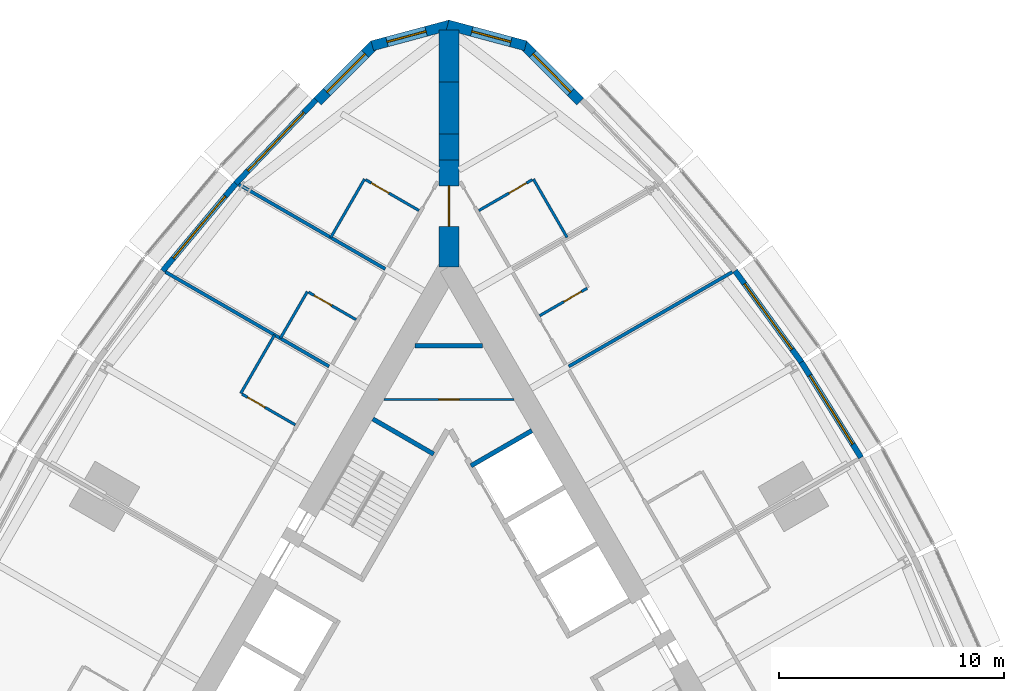
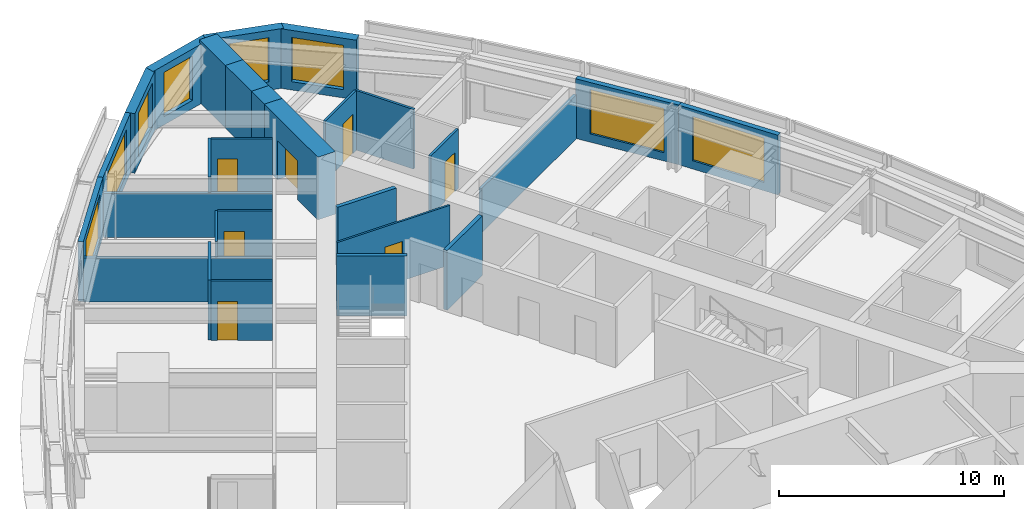
# One storey, part 12 of 14: 28 walls, 8 windows, 7 doors, 15 openings.
"""IFC4 building model written with IfcOpenShell, lengths in metres."""

from ifc_helpers import new_model, si_unit, direction, frame, frame_2d, origin, place, context, subcontext, project, spatial, polyline, rectangle, outline, extrude, material, layer, layer_set, type_object, element, fill, save


model = new_model("IFC4")

# Units and contexts
model_context = context("Model", 3, precision=1e-05, world=origin(), true_north=direction((0.0, 1.0)))
body_context = subcontext(model_context, "Body", "Model", "MODEL_VIEW")
ifc_project = project(units=[si_unit("LENGTHUNIT", "METRE"), si_unit("AREAUNIT", "SQUARE_METRE"), si_unit("VOLUMEUNIT", "CUBIC_METRE"), si_unit("PLANEANGLEUNIT", "RADIAN"), si_unit("MASSUNIT", "GRAM", prefix="KILO")], contexts=[model_context])

# Site, building, storey
site_placement = place(None, origin())
site = spatial("IfcSite", under=ifc_project, at=site_placement, CompositionType="ELEMENT")
building_placement = place(site_placement, origin())
building = spatial("IfcBuilding", under=site, at=building_placement, Name="Trikona Tower", CompositionType="ELEMENT")
storey_placement = place(building_placement, frame((0.0, 0.0, 162.300048828125)))
storey = spatial("IfcBuildingStorey", under=building, at=storey_placement, Name="L43", CompositionType="ELEMENT", Elevation=162.300048828125)

# Wall, opening, door
ifc_material_1 = material(Name="Metal stud and cement board", Category="gypsum")
ifc_layer_1 = layer(ifc_material_1, 0.1201171875)
ifc_layer_set_1 = layer_set([ifc_layer_1], Name="Bathroom wall 120")
wall_type_1 = type_object("IfcWallType", Name="Bathroom wall 120", PredefinedType="PLUMBINGWALL", material=ifc_layer_set_1)
wall_1_placement = place(storey_placement, frame((4.028564453125, 16.875, 0.0), z_axis=(0.0, 0.0, 1.0), x_axis=(0.865980627057, 0.500077547548, 0.0)))
wall_1 = element("IfcWall", 1, at=wall_1_placement, inside=storey, type_object=wall_type_1, Name="Bathroom wall 4308", PredefinedType="PLUMBINGWALL", context=body_context, shape_type="SweptSolid", body=[
    extrude(rectangle(XDim=2.43994140625, YDim=0.1201171875, at=frame_2d((1.219970703125, 0.0))), origin(), (0.0, 0.0, 1.0), 3.23486328125),
])
opening_1_placement = place(wall_1_placement, frame((1.25, 0.0, 0.0)))
opening_1 = element("IfcOpeningElement", 2, at=opening_1_placement, cuts=wall_1, Name="Opening D2", PredefinedType="OPENING", context=body_context, shape_type="SweptSolid", body=[
    extrude(rectangle(XDim=0.89990234375, YDim=2.1298828125, at=frame_2d((0.449951171875, 1.06494140625))), frame((0.0, 0.070068359375, 0.0), z_axis=(0.0, -1.0, 0.0), x_axis=(1.0, 0.0, 0.0)), (0.0, 0.0, 1.0), 0.14013671875),
])
ifc_material_2 = material(Name="Steel door frame with solid-core timber leaf", Category="steel")
door_type_1 = type_object("IfcDoorType", Name="Bathroom door 900x2130", OperationType="SLIDING_TO_LEFT", PredefinedType="DOOR", material=ifc_material_2)
door_1_placement = place(opening_1_placement, origin())
door_1 = element("IfcDoor", 3, at=door_1_placement, inside=storey, type_object=door_type_1, Name="Bathroom door 4308", OperationType="SLIDING_TO_LEFT", OverallHeight=2.1298828125, OverallWidth=0.89990234375, PredefinedType="DOOR", context=body_context, shape_type="SweptSolid", body=[
    extrude(rectangle(XDim=0.89990234375, YDim=2.1298828125, at=frame_2d((0.449951171875, 1.06494140625))), frame((0.0, 0.02490234375, 0.0), z_axis=(0.0, -1.0, 0.0), x_axis=(1.0, 0.0, 0.0)), (0.0, 0.0, 1.0), 0.050048828125),
])
fill(opening_1, door_1)

# Wall
wall_2_placement = place(storey_placement, frame((5.25341796875, 20.353515625, 0.0), z_axis=(0.0, 0.0, 1.0), x_axis=(-0.499990139034, 0.866031096941, 0.0)))
element("IfcWall", 4, at=wall_2_placement, inside=storey, type_object=wall_type_1, Name="Bathroom wall 4309", PredefinedType="PLUMBINGWALL", context=body_context, shape_type="SweptSolid", body=[
    extrude(rectangle(XDim=3.0, YDim=0.1201171875, at=frame_2d((1.5, 0.0))), origin(), (0.0, 0.0, 1.0), 3.23486328125),
])

# Wall, opening, door
wall_3_placement = place(storey_placement, frame((1.32861328125, 21.551513671875, 0.0), z_axis=(0.0, 0.0, 1.0), x_axis=(0.865997131366, 0.500048966069, 0.0)))
wall_3 = element("IfcWall", 5, at=wall_3_placement, inside=storey, type_object=wall_type_1, Name="Bathroom wall 4309", PredefinedType="PLUMBINGWALL", context=body_context, shape_type="SweptSolid", body=[
    extrude(rectangle(XDim=2.739990234375, YDim=0.1201171875, at=frame_2d((1.3701171875, 0.0))), origin(), (0.0, 0.0, 1.0), 3.23486328125),
])
opening_2_placement = place(wall_3_placement, frame((1.550048828125, 0.0, 0.0)))
opening_2 = element("IfcOpeningElement", 6, at=opening_2_placement, cuts=wall_3, Name="Opening D2", PredefinedType="OPENING", context=body_context, shape_type="SweptSolid", body=[
    extrude(rectangle(XDim=0.89990234375, YDim=2.1298828125, at=frame_2d((0.449951171875, 1.06494140625))), frame((0.0, 0.070068359375, 0.0), z_axis=(0.0, -1.0, 0.0), x_axis=(1.0, 0.0, 0.0)), (0.0, 0.0, 1.0), 0.14013671875),
])
door_2_placement = place(opening_2_placement, origin())
door_2 = element("IfcDoor", 7, at=door_2_placement, inside=storey, type_object=door_type_1, Name="Bathroom door 4309", OperationType="SLIDING_TO_LEFT", OverallHeight=2.1298828125, OverallWidth=0.89990234375, PredefinedType="DOOR", context=body_context, shape_type="SweptSolid", body=[
    extrude(rectangle(XDim=0.89990234375, YDim=2.1298828125, at=frame_2d((0.449951171875, 1.06494140625))), frame((0.0, 0.02490234375, 0.0), z_axis=(0.0, -1.0, 0.0), x_axis=(1.0, 0.0, 0.0)), (0.0, 0.0, 1.0), 0.050048828125),
])
fill(opening_2, door_2)

# Wall
wall_4_placement = place(storey_placement, frame((-3.75341796875, 22.95166015625, 0.0), z_axis=(0.0, 0.0, 1.0), x_axis=(-0.499990139034, -0.866031096941, 0.0)))
element("IfcWall", 8, at=wall_4_placement, inside=storey, type_object=wall_type_1, Name="Bathroom wall 4310", PredefinedType="PLUMBINGWALL", context=body_context, shape_type="SweptSolid", body=[
    extrude(rectangle(XDim=3.0, YDim=0.1201171875, at=frame_2d((1.5, 0.0))), origin(), (0.0, 0.0, 1.0), 3.23486328125),
])

# Wall, opening, door
wall_5_placement = place(storey_placement, frame((-1.32861328125, 21.551513671875, 0.0), z_axis=(0.0, 0.0, 1.0), x_axis=(-0.865997131366, 0.500048966069, 0.0)))
wall_5 = element("IfcWall", 9, at=wall_5_placement, inside=storey, type_object=wall_type_1, Name="Bathroom wall 4310", PredefinedType="PLUMBINGWALL", context=body_context, shape_type="SweptSolid", body=[
    extrude(rectangle(XDim=2.739990234375, YDim=0.1201171875, at=frame_2d((1.3701171875, 0.0))), origin(), (0.0, 0.0, 1.0), 3.23486328125),
])
opening_3_placement = place(wall_5_placement, frame((1.550048828125, 0.0, 0.0)))
opening_3 = element("IfcOpeningElement", 10, at=opening_3_placement, cuts=wall_5, Name="Opening D2", PredefinedType="OPENING", context=body_context, shape_type="SweptSolid", body=[
    extrude(rectangle(XDim=0.89990234375, YDim=2.1298828125, at=frame_2d((0.449951171875, 1.06494140625))), frame((0.0, 0.070068359375, 0.0), z_axis=(0.0, -1.0, 0.0), x_axis=(1.0, 0.0, 0.0)), (0.0, 0.0, 1.0), 0.14013671875),
])
door_3_placement = place(opening_3_placement, origin())
door_3 = element("IfcDoor", 11, at=door_3_placement, inside=storey, type_object=door_type_1, Name="Bathroom door 4310", OperationType="SLIDING_TO_LEFT", OverallHeight=2.1298828125, OverallWidth=0.89990234375, PredefinedType="DOOR", context=body_context, shape_type="SweptSolid", body=[
    extrude(rectangle(XDim=0.89990234375, YDim=2.1298828125, at=frame_2d((0.449951171875, 1.06494140625))), frame((0.0, 0.02490234375, 0.0), z_axis=(0.0, -1.0, 0.0), x_axis=(1.0, 0.0, 0.0)), (0.0, 0.0, 1.0), 0.050048828125),
])
fill(opening_3, door_3)

# Wall
wall_6_placement = place(storey_placement, frame((-6.29345703125, 17.951904296875, 0.0), z_axis=(0.0, 0.0, 1.0), x_axis=(-0.499957262057, -0.866050077142, 0.0)))
element("IfcWall", 12, at=wall_6_placement, inside=storey, type_object=wall_type_1, Name="Bathroom wall 4311", PredefinedType="PLUMBINGWALL", context=body_context, shape_type="SweptSolid", body=[
    extrude(rectangle(XDim=2.400146484375, YDim=0.1201171875, at=frame_2d((1.2001953125, 0.0))), origin(), (0.0, 0.0, 1.0), 3.23486328125),
])

# Wall, opening, door
wall_7_placement = place(storey_placement, frame((-4.12841796875, 16.701904296875, 0.0), z_axis=(0.0, 0.0, 1.0), x_axis=(-0.866048967903, 0.499959183527, 0.0)))
wall_7 = element("IfcWall", 13, at=wall_7_placement, inside=storey, type_object=wall_type_1, Name="Bathroom wall 4311", PredefinedType="PLUMBINGWALL", context=body_context, shape_type="SweptSolid", body=[
    extrude(rectangle(XDim=2.440185546875, YDim=0.1201171875, at=frame_2d((1.22021484375, 0.0))), origin(), (0.0, 0.0, 1.0), 3.23486328125),
])
opening_4_placement = place(wall_7_placement, frame((1.25, 0.0, 0.0)))
opening_4 = element("IfcOpeningElement", 14, at=opening_4_placement, cuts=wall_7, Name="Opening D2", PredefinedType="OPENING", context=body_context, shape_type="SweptSolid", body=[
    extrude(rectangle(XDim=0.89990234375, YDim=2.1298828125, at=frame_2d((0.449951171875, 1.06494140625))), frame((0.0, 0.070068359375, 0.0), z_axis=(0.0, -1.0, 0.0), x_axis=(1.0, 0.0, 0.0)), (0.0, 0.0, 1.0), 0.14013671875),
])
door_4_placement = place(opening_4_placement, origin())
door_4 = element("IfcDoor", 15, at=door_4_placement, inside=storey, type_object=door_type_1, Name="Bathroom door 4311", OperationType="SLIDING_TO_LEFT", OverallHeight=2.1298828125, OverallWidth=0.89990234375, PredefinedType="DOOR", context=body_context, shape_type="SweptSolid", body=[
    extrude(rectangle(XDim=0.89990234375, YDim=2.1298828125, at=frame_2d((0.449951171875, 1.06494140625))), frame((0.0, 0.02490234375, 0.0), z_axis=(0.0, -1.0, 0.0), x_axis=(1.0, 0.0, 0.0)), (0.0, 0.0, 1.0), 0.050048828125),
])
fill(opening_4, door_4)

# Wall
wall_8_placement = place(storey_placement, frame((-7.75341796875, 16.0234375, 0.0), z_axis=(0.0, 0.0, 1.0), x_axis=(-0.499990139034, -0.866031096941, 0.0)))
element("IfcWall", 16, at=wall_8_placement, inside=storey, type_object=wall_type_1, Name="Bathroom wall 4312", PredefinedType="PLUMBINGWALL", context=body_context, shape_type="SweptSolid", body=[
    extrude(rectangle(XDim=3.0, YDim=0.1201171875, at=frame_2d((1.5, 0.0))), origin(), (0.0, 0.0, 1.0), 3.23486328125),
])

# Wall, opening, door
wall_9_placement = place(storey_placement, frame((-6.82861328125, 12.025390625, 0.0), z_axis=(0.0, 0.0, 1.0), x_axis=(-0.866035715982, 0.499982138324, 0.0)))
wall_9 = element("IfcWall", 17, at=wall_9_placement, inside=storey, type_object=wall_type_1, Name="Bathroom wall 4312", PredefinedType="PLUMBINGWALL", context=body_context, shape_type="SweptSolid", body=[
    extrude(rectangle(XDim=2.73974609375, YDim=0.1201171875, at=frame_2d((1.369873046875, 0.0))), origin(), (0.0, 0.0, 1.0), 3.23486328125),
])
opening_5_placement = place(wall_9_placement, frame((1.550048828125, 0.0, 0.0)))
opening_5 = element("IfcOpeningElement", 18, at=opening_5_placement, cuts=wall_9, Name="Opening D2", PredefinedType="OPENING", context=body_context, shape_type="SweptSolid", body=[
    extrude(rectangle(XDim=0.89990234375, YDim=2.1298828125, at=frame_2d((0.449951171875, 1.06494140625))), frame((0.0, 0.070068359375, 0.0), z_axis=(0.0, -1.0, 0.0), x_axis=(1.0, 0.0, 0.0)), (0.0, 0.0, 1.0), 0.14013671875),
])
door_5_placement = place(opening_5_placement, origin())
door_5 = element("IfcDoor", 19, at=door_5_placement, inside=storey, type_object=door_type_1, Name="Bathroom door 4312", OperationType="SLIDING_TO_LEFT", OverallHeight=2.1298828125, OverallWidth=0.89990234375, PredefinedType="DOOR", context=body_context, shape_type="SweptSolid", body=[
    extrude(rectangle(XDim=0.89990234375, YDim=2.1298828125, at=frame_2d((0.449951171875, 1.06494140625))), frame((0.0, 0.02490234375, 0.0), z_axis=(0.0, -1.0, 0.0), x_axis=(1.0, 0.0, 0.0)), (0.0, 0.0, 1.0), 0.050048828125),
])
fill(opening_5, door_5)

# Wall, opening, window
ifc_material_3 = material(Name="Brick-faced precast concrete", Category="masonry")
ifc_layer_2 = layer(ifc_material_3, 0.449951171875)
ifc_layer_set_2 = layer_set([ifc_layer_2], Name="Brick-faced corner wall 450")
wall_type_2 = type_object("IfcWallType", Name="Brick-faced corner wall 450", PredefinedType="SOLIDWALL", material=ifc_layer_set_2)
wall_10_placement = place(storey_placement, frame((5.8408203125, 26.39892578125, 0.0), z_axis=(0.0, 0.0, 1.0), x_axis=(-0.707106781187, 0.707106781187, 0.0)))
wall_10 = element("IfcWall", 20, at=wall_10_placement, inside=storey, type_object=wall_type_2, Name="External wall L43-20", PredefinedType="SOLIDWALL", context=body_context, shape_type="SweptSolid", body=[
    extrude(rectangle(XDim=3.586181640625, YDim=0.449951171875, at=frame_2d((1.79296875, 0.0))), origin(), (0.0, 0.0, 1.0), 3.23486328125),
])
opening_6_placement = place(wall_10_placement, frame((0.59326171875, 0.0, 0.449951171875)))
opening_6 = element("IfcOpeningElement", 21, at=opening_6_placement, cuts=wall_10, Name="Opening W2424", PredefinedType="OPENING", context=body_context, shape_type="SweptSolid", body=[
    extrude(rectangle(XDim=2.39990234375, YDim=2.39990234375, at=frame_2d((1.199951171875, 1.199951171875))), frame((0.0, 0.23486328125, 0.0), z_axis=(0.0, -1.0, 0.0), x_axis=(1.0, 0.0, 0.0)), (0.0, 0.0, 1.0), 0.469970703125),
])
ifc_material_4 = material(Name="Aluminium-framed double glazing", Category="aluminium")
window_type_1 = type_object("IfcWindowType", Name="Window 2400x2400", PartitioningType="SINGLE_PANEL", PredefinedType="WINDOW", material=ifc_material_4)
window_1_placement = place(opening_6_placement, origin())
window_1 = element("IfcWindow", 22, at=window_1_placement, inside=storey, type_object=window_type_1, Name="Window 4309", OverallHeight=2.39990234375, OverallWidth=2.39990234375, PartitioningType="SINGLE_PANEL", PredefinedType="WINDOW", context=body_context, shape_type="SweptSolid", body=[
    extrude(rectangle(XDim=2.39990234375, YDim=2.39990234375, at=frame_2d((1.199951171875, 1.199951171875))), frame((0.0, 0.030029296875, 0.0), z_axis=(0.0, -1.0, 0.0), x_axis=(1.0, 0.0, 0.0)), (0.0, 0.0, 1.0), 0.06005859375),
])
fill(opening_6, window_1)

wall_11_placement = place(storey_placement, frame((3.406005859375, 28.876708984375, 0.0), z_axis=(0.0, 0.0, 1.0), x_axis=(-0.965924653531, 0.258823421857, 0.0)))
wall_11 = element("IfcWall", 23, at=wall_11_placement, inside=storey, type_object=wall_type_2, Name="External wall L43-21", PredefinedType="SOLIDWALL", context=body_context, shape_type="SweptSolid", body=[
    extrude(outline(polyline([(3.58642578125, 0.22509765625), (3.526611328125, 0.22509765625), (3.035400390625, 0.09326171875), (3.0, 0.22509765625), (0.0, 0.22509765625), (0.0, -0.22509765625), (3.58642578125, -0.22509765625), (3.58642578125, 0.22509765625)])), origin(), (0.0, 0.0, 1.0), 3.23486328125),
])
opening_7_placement = place(wall_11_placement, frame((0.6748046875, 0.0, 0.449951171875)))
opening_7 = element("IfcOpeningElement", 24, at=opening_7_placement, cuts=wall_11, Name="Opening W1824", PredefinedType="OPENING", context=body_context, shape_type="SweptSolid", body=[
    extrude(rectangle(XDim=1.800048828125, YDim=2.39990234375, at=frame_2d((0.89990234375, 1.199951171875))), frame((0.0, 0.23486328125, 0.0), z_axis=(0.0, -1.0, 0.0), x_axis=(1.0, 0.0, 0.0)), (0.0, 0.0, 1.0), 0.469970703125),
])
ifc_material_5 = material(Name="Aluminium-framed double glazing", Category="aluminium")
window_type_2 = type_object("IfcWindowType", Name="Window 1800x2400", PartitioningType="SINGLE_PANEL", PredefinedType="WINDOW", material=ifc_material_5)
window_2_placement = place(opening_7_placement, origin())
window_2 = element("IfcWindow", 25, at=window_2_placement, inside=storey, type_object=window_type_2, Name="Window 4309", OverallHeight=2.39990234375, OverallWidth=1.800048828125, PartitioningType="SINGLE_PANEL", PredefinedType="WINDOW", context=body_context, shape_type="SweptSolid", body=[
    extrude(rectangle(XDim=1.800048828125, YDim=2.39990234375, at=frame_2d((0.89990234375, 1.199951171875))), frame((0.0, 0.030029296875, 0.0), z_axis=(0.0, -1.0, 0.0), x_axis=(1.0, 0.0, 0.0)), (0.0, 0.0, 1.0), 0.06005859375),
])
fill(opening_7, window_2)

wall_12_placement = place(storey_placement, frame((0.05810546875, 29.804931640625, 0.0), z_axis=(0.0, 0.0, 1.0), x_axis=(-0.965924653531, -0.258823421857, 0.0)))
wall_12 = element("IfcWall", 26, at=wall_12_placement, inside=storey, type_object=wall_type_2, Name="External wall L43-22", PredefinedType="SOLIDWALL", context=body_context, shape_type="SweptSolid", body=[
    extrude(outline(polyline([(3.58642578125, 0.22509765625), (0.58642578125, 0.22509765625), (0.551025390625, 0.09326171875), (0.0595703125, 0.22509765625), (0.0, 0.22509765625), (0.0, -0.22509765625), (3.58642578125, -0.22509765625), (3.58642578125, 0.22509765625)])), origin(), (0.0, 0.0, 1.0), 3.23486328125),
])
opening_8_placement = place(wall_12_placement, frame((1.111328125, 0.0, 0.449951171875)))
opening_8 = element("IfcOpeningElement", 27, at=opening_8_placement, cuts=wall_12, Name="Opening W1824", PredefinedType="OPENING", context=body_context, shape_type="SweptSolid", body=[
    extrude(rectangle(XDim=1.800048828125, YDim=2.39990234375, at=frame_2d((0.89990234375, 1.199951171875))), frame((0.0, 0.23486328125, 0.0), z_axis=(0.0, -1.0, 0.0), x_axis=(1.0, 0.0, 0.0)), (0.0, 0.0, 1.0), 0.469970703125),
])
window_3_placement = place(opening_8_placement, origin())
window_3 = element("IfcWindow", 28, at=window_3_placement, inside=storey, type_object=window_type_2, Name="Window 4310", OverallHeight=2.39990234375, OverallWidth=1.800048828125, PartitioningType="SINGLE_PANEL", PredefinedType="WINDOW", context=body_context, shape_type="SweptSolid", body=[
    extrude(rectangle(XDim=1.800048828125, YDim=2.39990234375, at=frame_2d((0.89990234375, 1.199951171875))), frame((0.0, 0.030029296875, 0.0), z_axis=(0.0, -1.0, 0.0), x_axis=(1.0, 0.0, 0.0)), (0.0, 0.0, 1.0), 0.06005859375),
])
fill(opening_8, window_3)

wall_13_placement = place(storey_placement, frame((-3.304931640625, 28.934814453125, 0.0), z_axis=(0.0, 0.0, 1.0), x_axis=(-0.707106781187, -0.707106781187, 0.0)))
wall_13 = element("IfcWall", 29, at=wall_13_placement, inside=storey, type_object=wall_type_2, Name="External wall L43-23", PredefinedType="SOLIDWALL", context=body_context, shape_type="SweptSolid", body=[
    extrude(rectangle(XDim=3.586181640625, YDim=0.449951171875, at=frame_2d((1.79296875, 0.0))), origin(), (0.0, 0.0, 1.0), 3.23486328125),
])
opening_9_placement = place(wall_13_placement, frame((0.59326171875, 0.0, 0.449951171875)))
opening_9 = element("IfcOpeningElement", 30, at=opening_9_placement, cuts=wall_13, Name="Opening W2424", PredefinedType="OPENING", context=body_context, shape_type="SweptSolid", body=[
    extrude(rectangle(XDim=2.39990234375, YDim=2.39990234375, at=frame_2d((1.199951171875, 1.199951171875))), frame((0.0, 0.23486328125, 0.0), z_axis=(0.0, -1.0, 0.0), x_axis=(1.0, 0.0, 0.0)), (0.0, 0.0, 1.0), 0.469970703125),
])
window_4_placement = place(opening_9_placement, origin())
window_4 = element("IfcWindow", 31, at=window_4_placement, inside=storey, type_object=window_type_1, Name="Window 4310", OverallHeight=2.39990234375, OverallWidth=2.39990234375, PartitioningType="SINGLE_PANEL", PredefinedType="WINDOW", context=body_context, shape_type="SweptSolid", body=[
    extrude(rectangle(XDim=2.39990234375, YDim=2.39990234375, at=frame_2d((1.199951171875, 1.199951171875))), frame((0.0, 0.030029296875, 0.0), z_axis=(0.0, -1.0, 0.0), x_axis=(1.0, 0.0, 0.0)), (0.0, 0.0, 1.0), 0.06005859375),
])
fill(opening_9, window_4)

# Wall, opening, door
ifc_material_6 = material(Name="Concrete f'c 10000 psi", Category="concrete")
ifc_layer_3 = layer(ifc_material_6, 0.89990234375)
ifc_layer_set_3 = layer_set([ifc_layer_3], Name="Buttress wall 900")
wall_type_3 = type_object("IfcWallType", Name="Buttress wall 900", PredefinedType="SHEAR", material=ifc_layer_set_3)
wall_14_placement = place(storey_placement, frame((0.0, 19.052490234375, 0.0), z_axis=(0.0, 0.0, 1.0), x_axis=(0.0, 1.0, 0.0)))
wall_14 = element("IfcWall", 32, at=wall_14_placement, inside=storey, type_object=wall_type_3, Name="Buttress wall 2", PredefinedType="SHEAR", context=body_context, shape_type="SweptSolid", body=[
    extrude(rectangle(XDim=4.74609375, YDim=0.89990234375, at=frame_2d((2.373046875, 0.0))), origin(), (0.0, 0.0, 1.0), 3.39990234375),
])
opening_10_placement = place(wall_14_placement, frame((1.800048828125, 0.0, 0.0)))
opening_10 = element("IfcOpeningElement", 33, at=opening_10_placement, cuts=wall_14, Name="Opening D10", PredefinedType="OPENING", context=body_context, shape_type="SweptSolid", body=[
    extrude(rectangle(XDim=1.800048828125, YDim=2.1298828125, at=frame_2d((0.89990234375, 1.06494140625))), frame((0.0, 0.4599609375, 0.0), z_axis=(0.0, -1.0, 0.0), x_axis=(1.0, 0.0, 0.0)), (0.0, 0.0, 1.0), 0.919921875),
])
ifc_material_7 = material(Name="Hollow metal door and frame", Category="steel")
door_type_2 = type_object("IfcDoorType", Name="Cross-corridor door pair 1800x2130", OperationType="DOUBLE_DOOR_DOUBLE_SWING", PredefinedType="DOOR", material=ifc_material_7)
door_6_placement = place(opening_10_placement, origin())
door_6 = element("IfcDoor", 34, at=door_6_placement, inside=storey, type_object=door_type_2, Name="Cross-corridor door 2", OperationType="DOUBLE_DOOR_DOUBLE_SWING", OverallHeight=2.1298828125, OverallWidth=1.800048828125, PredefinedType="DOOR", context=body_context, shape_type="SweptSolid", body=[
    extrude(rectangle(XDim=1.800048828125, YDim=2.1298828125, at=frame_2d((0.89990234375, 1.06494140625))), frame((0.0, 0.02490234375, 0.0), z_axis=(0.0, -1.0, 0.0), x_axis=(1.0, 0.0, 0.0)), (0.0, 0.0, 1.0), 0.050048828125),
])
fill(opening_10, door_6)

# Walls
wall_15_placement = place(storey_placement, frame((0.0, 23.798583984375, 0.0), z_axis=(0.0, 0.0, 1.0), x_axis=(0.0, 1.0, 0.0)))
element("IfcWall", 35, at=wall_15_placement, inside=storey, type_object=wall_type_3, Name="Buttress wall 2 part 2", PredefinedType="SHEAR", context=body_context, shape_type="SweptSolid", body=[
    extrude(rectangle(XDim=1.15478515625, YDim=0.89990234375, at=frame_2d((0.577392578125, 0.0))), origin(), (0.0, 0.0, 1.0), 3.39990234375),
])
wall_16_placement = place(storey_placement, frame((0.0, 24.953369140625, 0.0), z_axis=(0.0, 0.0, 1.0), x_axis=(0.0, 1.0, 0.0)))
element("IfcWall", 36, at=wall_16_placement, inside=storey, type_object=wall_type_3, Name="Buttress wall 2 part 3", PredefinedType="SHEAR", context=body_context, shape_type="SweptSolid", body=[
    extrude(rectangle(XDim=2.309326171875, YDim=0.89990234375, at=frame_2d((1.15478515625, 0.0))), origin(), (0.0, 0.0, 1.0), 3.39990234375),
])
wall_17_placement = place(storey_placement, frame((0.0, 27.2626953125, 0.0), z_axis=(0.0, 0.0, 1.0), x_axis=(0.0, 1.0, 0.0)))
element("IfcWall", 37, at=wall_17_placement, inside=storey, type_object=wall_type_3, Name="Buttress wall 2 part 4", PredefinedType="SHEAR", context=body_context, shape_type="SweptSolid", body=[
    extrude(rectangle(XDim=2.3095703125, YDim=0.89990234375, at=frame_2d((1.15478515625, 0.0))), origin(), (0.0, 0.0, 1.0), 3.39990234375),
])

# Wall, opening, window
ifc_material_8 = material(Name="Insulated precast concrete spandrel panel", Category="concrete")
ifc_layer_4 = layer(ifc_material_8, 0.25)
ifc_layer_set_4 = layer_set([ifc_layer_4], Name="Inner skin wall 250")
wall_type_4 = type_object("IfcWallType", Name="Inner skin wall 250", PredefinedType="STANDARD", material=ifc_layer_set_4)
wall_18_placement = place(storey_placement, frame((18.31884765625, 10.5712890625, 0.0), z_axis=(0.0, 0.0, 1.0), x_axis=(-0.529990167382, 0.84800378683, 0.0)))
wall_18 = element("IfcWall", 38, at=wall_18_placement, inside=storey, type_object=wall_type_4, Name="External wall L43-16", PredefinedType="STANDARD", context=body_context, shape_type="SweptSolid", body=[
    extrude(rectangle(XDim=5.003173828125, YDim=0.25, at=frame_2d((2.50146484375, 0.0))), origin(), (0.0, 0.0, 1.0), 3.23486328125),
])
opening_11_placement = place(wall_18_placement, frame((0.701416015625, 0.0, 0.449951171875)))
opening_11 = element("IfcOpeningElement", 39, at=opening_11_placement, cuts=wall_18, Name="Opening W3624", PredefinedType="OPENING", context=body_context, shape_type="SweptSolid", body=[
    extrude(rectangle(XDim=3.60009765625, YDim=2.39990234375, at=frame_2d((1.800048828125, 1.199951171875))), frame((0.0, 0.135009765625, 0.0), z_axis=(0.0, -1.0, 0.0), x_axis=(1.0, 0.0, 0.0)), (0.0, 0.0, 1.0), 0.27001953125),
])
ifc_material_9 = material(Name="Aluminium-framed double glazing", Category="aluminium")
window_type_3 = type_object("IfcWindowType", Name="Window 3600x2400", PartitioningType="SINGLE_PANEL", PredefinedType="WINDOW", material=ifc_material_9)
window_5_placement = place(opening_11_placement, origin())
window_5 = element("IfcWindow", 40, at=window_5_placement, inside=storey, type_object=window_type_3, Name="Window 4307", OverallHeight=2.39990234375, OverallWidth=3.60009765625, PartitioningType="SINGLE_PANEL", PredefinedType="WINDOW", context=body_context, shape_type="SweptSolid", body=[
    extrude(rectangle(XDim=3.60009765625, YDim=2.39990234375, at=frame_2d((1.800048828125, 1.199951171875))), frame((0.0, 0.030029296875, 0.0), z_axis=(0.0, -1.0, 0.0), x_axis=(1.0, 0.0, 0.0)), (0.0, 0.0, 1.0), 0.06005859375),
])
fill(opening_11, window_5)

wall_19_placement = place(storey_placement, frame((15.672119140625, 14.806640625, 0.0), z_axis=(0.0, 0.0, 1.0), x_axis=(-0.587669188412, 0.809101307001, 0.0)))
wall_19 = element("IfcWall", 41, at=wall_19_placement, inside=storey, type_object=wall_type_4, Name="External wall L43-17", PredefinedType="STANDARD", context=body_context, shape_type="SweptSolid", body=[
    extrude(rectangle(XDim=5.027587890625, YDim=0.25, at=frame_2d((2.513671875, 0.0))), origin(), (0.0, 0.0, 1.0), 3.23486328125),
])
opening_12_placement = place(wall_19_placement, frame((0.7138671875, 0.0, 0.449951171875)))
opening_12 = element("IfcOpeningElement", 42, at=opening_12_placement, cuts=wall_19, Name="Opening W3624", PredefinedType="OPENING", context=body_context, shape_type="SweptSolid", body=[
    extrude(rectangle(XDim=3.60009765625, YDim=2.39990234375, at=frame_2d((1.800048828125, 1.199951171875))), frame((0.0, 0.135009765625, 0.0), z_axis=(0.0, -1.0, 0.0), x_axis=(1.0, 0.0, 0.0)), (0.0, 0.0, 1.0), 0.27001953125),
])
window_6_placement = place(opening_12_placement, origin())
window_6 = element("IfcWindow", 43, at=window_6_placement, inside=storey, type_object=window_type_3, Name="Window 4307", OverallHeight=2.39990234375, OverallWidth=3.60009765625, PartitioningType="SINGLE_PANEL", PredefinedType="WINDOW", context=body_context, shape_type="SweptSolid", body=[
    extrude(rectangle(XDim=3.60009765625, YDim=2.39990234375, at=frame_2d((1.800048828125, 1.199951171875))), frame((0.0, 0.030029296875, 0.0), z_axis=(0.0, -1.0, 0.0), x_axis=(1.0, 0.0, 0.0)), (0.0, 0.0, 1.0), 0.06005859375),
])
fill(opening_12, window_6)

wall_20_placement = place(storey_placement, frame((-5.90966796875, 26.4716796875, 0.0), z_axis=(0.0, 0.0, 1.0), x_axis=(-0.691719937936, -0.722165858693, 0.0)))
wall_20 = element("IfcWall", 44, at=wall_20_placement, inside=storey, type_object=wall_type_4, Name="External wall L43-24", PredefinedType="STANDARD", context=body_context, shape_type="SweptSolid", body=[
    extrude(rectangle(XDim=5.148193359375, YDim=0.25, at=frame_2d((2.57421875, 0.0))), origin(), (0.0, 0.0, 1.0), 3.23486328125),
])
opening_13_placement = place(wall_20_placement, frame((0.77392578125, 0.0, 0.449951171875)))
opening_13 = element("IfcOpeningElement", 45, at=opening_13_placement, cuts=wall_20, Name="Opening W3624", PredefinedType="OPENING", context=body_context, shape_type="SweptSolid", body=[
    extrude(rectangle(XDim=3.60009765625, YDim=2.39990234375, at=frame_2d((1.800048828125, 1.199951171875))), frame((0.0, 0.135009765625, 0.0), z_axis=(0.0, -1.0, 0.0), x_axis=(1.0, 0.0, 0.0)), (0.0, 0.0, 1.0), 0.27001953125),
])
window_7_placement = place(opening_13_placement, origin())
window_7 = element("IfcWindow", 46, at=window_7_placement, inside=storey, type_object=window_type_3, Name="Window 4310", OverallHeight=2.39990234375, OverallWidth=3.60009765625, PartitioningType="SINGLE_PANEL", PredefinedType="WINDOW", context=body_context, shape_type="SweptSolid", body=[
    extrude(rectangle(XDim=3.60009765625, YDim=2.39990234375, at=frame_2d((1.800048828125, 1.199951171875))), frame((0.0, 0.030029296875, 0.0), z_axis=(0.0, -1.0, 0.0), x_axis=(1.0, 0.0, 0.0)), (0.0, 0.0, 1.0), 0.06005859375),
])
fill(opening_13, window_7)

wall_21_placement = place(storey_placement, frame((-9.465087890625, 22.76025390625, 0.0), z_axis=(0.0, 0.0, 1.0), x_axis=(-0.641810386606, -0.766863369607, 0.0)))
wall_21 = element("IfcWall", 47, at=wall_21_placement, inside=storey, type_object=wall_type_4, Name="External wall L43-25", PredefinedType="STANDARD", context=body_context, shape_type="SweptSolid", body=[
    extrude(rectangle(XDim=5.075927734375, YDim=0.25, at=frame_2d((2.5380859375, 0.0))), origin(), (0.0, 0.0, 1.0), 3.23486328125),
])
opening_14_placement = place(wall_21_placement, frame((0.738037109375, 0.0, 0.449951171875)))
opening_14 = element("IfcOpeningElement", 48, at=opening_14_placement, cuts=wall_21, Name="Opening W3624", PredefinedType="OPENING", context=body_context, shape_type="SweptSolid", body=[
    extrude(rectangle(XDim=3.60009765625, YDim=2.39990234375, at=frame_2d((1.800048828125, 1.199951171875))), frame((0.0, 0.135009765625, 0.0), z_axis=(0.0, -1.0, 0.0), x_axis=(1.0, 0.0, 0.0)), (0.0, 0.0, 1.0), 0.27001953125),
])
window_8_placement = place(opening_14_placement, origin())
window_8 = element("IfcWindow", 49, at=window_8_placement, inside=storey, type_object=window_type_3, Name="Window 4311", OverallHeight=2.39990234375, OverallWidth=3.60009765625, PartitioningType="SINGLE_PANEL", PredefinedType="WINDOW", context=body_context, shape_type="SweptSolid", body=[
    extrude(rectangle(XDim=3.60009765625, YDim=2.39990234375, at=frame_2d((1.800048828125, 1.199951171875))), frame((0.0, 0.030029296875, 0.0), z_axis=(0.0, -1.0, 0.0), x_axis=(1.0, 0.0, 0.0)), (0.0, 0.0, 1.0), 0.06005859375),
])
fill(opening_14, window_8)

# Walls
ifc_material_10 = material(Name="Metal stud and gypsum board, 1-hour acoustic", Category="gypsum")
ifc_layer_5 = layer(ifc_material_10, 0.14990234375)
ifc_layer_set_5 = layer_set([ifc_layer_5], Name="Party wall 150")
wall_type_5 = type_object("IfcWallType", Name="Party wall 150", PredefinedType="PARTITIONING", material=ifc_layer_set_5)
wall_22_placement = place(storey_placement, frame((5.32861328125, 14.623291015625, 0.0), z_axis=(0.0, 0.0, 1.0), x_axis=(0.866011723728, 0.500023693804, 0.0)))
element("IfcWall", 50, at=wall_22_placement, inside=storey, type_object=wall_type_5, Name="Partition L43 F2 u10", PredefinedType="PARTITIONING", context=body_context, shape_type="SweptSolid", body=[
    extrude(rectangle(XDim=8.39501953125, YDim=0.14990234375, at=frame_2d((4.197509765625, 0.0))), origin(), (0.0, 0.0, 1.0), 2.38916015625),
])
wall_23_placement = place(storey_placement, frame((-2.82861328125, 18.95361328125, 0.0), z_axis=(0.0, 0.0, 1.0), x_axis=(-0.866015739374, 0.500016738876, 0.0)))
element("IfcWall", 51, at=wall_23_placement, inside=storey, type_object=wall_type_5, Name="Partition L43 F3 u-15", PredefinedType="PARTITIONING", context=body_context, shape_type="SweptSolid", body=[
    extrude(rectangle(XDim=7.516357421875, YDim=0.14990234375, at=frame_2d((3.75830078125, 0.0))), origin(), (0.0, 0.0, 1.0), 2.38916015625),
])
wall_24_placement = place(storey_placement, frame((-5.32861328125, 14.623291015625, 0.0), z_axis=(0.0, 0.0, 1.0), x_axis=(-0.866011723728, 0.500023693804, 0.0)))
element("IfcWall", 52, at=wall_24_placement, inside=storey, type_object=wall_type_5, Name="Partition L43 F3 u-10", PredefinedType="PARTITIONING", context=body_context, shape_type="SweptSolid", body=[
    extrude(rectangle(XDim=8.39501953125, YDim=0.14990234375, at=frame_2d((4.197509765625, 0.0))), origin(), (0.0, 0.0, 1.0), 2.38916015625),
])
ifc_material_11 = material(Name="Concrete f'c 8000 psi", Category="concrete")
ifc_layer_6 = layer(ifc_material_11, 0.199951171875)
ifc_layer_set_6 = layer_set([ifc_layer_6], Name="Shaft wall 200")
wall_type_6 = type_object("IfcWallType", Name="Shaft wall 200", PredefinedType="SOLIDWALL", material=ifc_layer_set_6)
wall_25_placement = place(storey_placement, frame((0.97900390625, 10.20703125, 0.0), z_axis=(0.0, 0.0, 1.0), x_axis=(0.866022959057, 0.500004234368, 0.0)))
element("IfcWall", 53, at=wall_25_placement, inside=storey, type_object=wall_type_6, Name="Shaft wall B6", PredefinedType="SOLIDWALL", context=body_context, shape_type="SweptSolid", body=[
    extrude(rectangle(XDim=3.125, YDim=0.199951171875, at=frame_2d((1.5625, 0.0))), origin(), (0.0, 0.0, 1.0), 3.23486328125),
])
wall_26_placement = place(storey_placement, frame((-1.501220703125, 15.552490234375, 0.0), z_axis=(0.0, 0.0, 1.0), x_axis=(1.0, 0.0, 0.0)))
element("IfcWall", 54, at=wall_26_placement, inside=storey, type_object=wall_type_6, Name="Riser wall L43-RS2", PredefinedType="SOLIDWALL", context=body_context, shape_type="SweptSolid", body=[
    extrude(rectangle(XDim=3.00244140625, YDim=0.199951171875, at=frame_2d((1.501220703125, 0.0))), origin(), (0.0, 0.0, 1.0), 3.23486328125),
])
ifc_material_12 = material(Name="Concrete f'c 8000 psi", Category="concrete")
ifc_layer_7 = layer(ifc_material_12, 0.199951171875)
ifc_layer_set_7 = layer_set([ifc_layer_7], Name="Shaft wall 200 load-bearing")
wall_type_7 = type_object("IfcWallType", Name="Shaft wall 200 load-bearing", PredefinedType="SOLIDWALL", material=ifc_layer_set_7)
wall_27_placement = place(storey_placement, frame((-0.678955078125, 10.7265625, 0.0), z_axis=(0.0, 0.0, 1.0), x_axis=(-0.866022959057, 0.500004234368, 0.0)))
element("IfcWall", 55, at=wall_27_placement, inside=storey, type_object=wall_type_7, Name="Shaft wall C1", PredefinedType="SOLIDWALL", context=body_context, shape_type="SweptSolid", body=[
    extrude(rectangle(XDim=3.125, YDim=0.199951171875, at=frame_2d((1.5625, 0.0))), origin(), (0.0, 0.0, 1.0), 3.23486328125),
])

# Wall, opening, door
ifc_material_13 = material(Name="Metal stud and gypsum board, acoustic", Category="gypsum")
ifc_layer_8 = layer(ifc_material_13, 0.10009765625)
ifc_layer_set_8 = layer_set([ifc_layer_8], Name="Suite partition 100")
wall_type_8 = type_object("IfcWallType", Name="Suite partition 100", PredefinedType="PARTITIONING", material=ifc_layer_set_8)
wall_28_placement = place(storey_placement, frame((-2.88671875, 13.152587890625, 0.0), z_axis=(0.0, 0.0, 1.0), x_axis=(1.0, 0.0, 0.0)))
wall_28 = element("IfcWall", 56, at=wall_28_placement, inside=storey, type_object=wall_type_8, Name="Store partition L43-RS2", PredefinedType="PARTITIONING", context=body_context, shape_type="SweptSolid", body=[
    extrude(rectangle(XDim=5.7734375, YDim=0.10009765625, at=frame_2d((2.88671875, 0.0))), origin(), (0.0, 0.0, 1.0), 3.23486328125),
])
opening_15_placement = place(wall_28_placement, frame((2.436767578125, 0.0, 0.0)))
opening_15 = element("IfcOpeningElement", 57, at=opening_15_placement, cuts=wall_28, Name="Opening D15", PredefinedType="OPENING", context=body_context, shape_type="SweptSolid", body=[
    extrude(rectangle(XDim=0.89990234375, YDim=2.1298828125, at=frame_2d((0.449951171875, 1.06494140625))), frame((0.0, 0.06005859375, 0.0), z_axis=(0.0, -1.0, 0.0), x_axis=(1.0, 0.0, 0.0)), (0.0, 0.0, 1.0), 0.1201171875),
])
ifc_material_14 = material(Name="Steel door frame with solid-core timber leaf", Category="steel")
door_type_3 = type_object("IfcDoorType", Name="Store door 900x2130", OperationType="SINGLE_SWING_LEFT", PredefinedType="DOOR", material=ifc_material_14)
door_7_placement = place(opening_15_placement, origin())
door_7 = element("IfcDoor", 58, at=door_7_placement, inside=storey, type_object=door_type_3, Name="Door Cleaner's store CLN", OperationType="SINGLE_SWING_RIGHT", OverallHeight=2.1298828125, OverallWidth=0.89990234375, PredefinedType="DOOR", context=body_context, shape_type="SweptSolid", body=[
    extrude(rectangle(XDim=0.89990234375, YDim=2.1298828125, at=frame_2d((0.449951171875, 1.06494140625))), frame((0.0, 0.02490234375, 0.0), z_axis=(0.0, -1.0, 0.0), x_axis=(1.0, 0.0, 0.0)), (0.0, 0.0, 1.0), 0.050048828125),
])
fill(opening_15, door_7)

save(model, "model.ifc")
